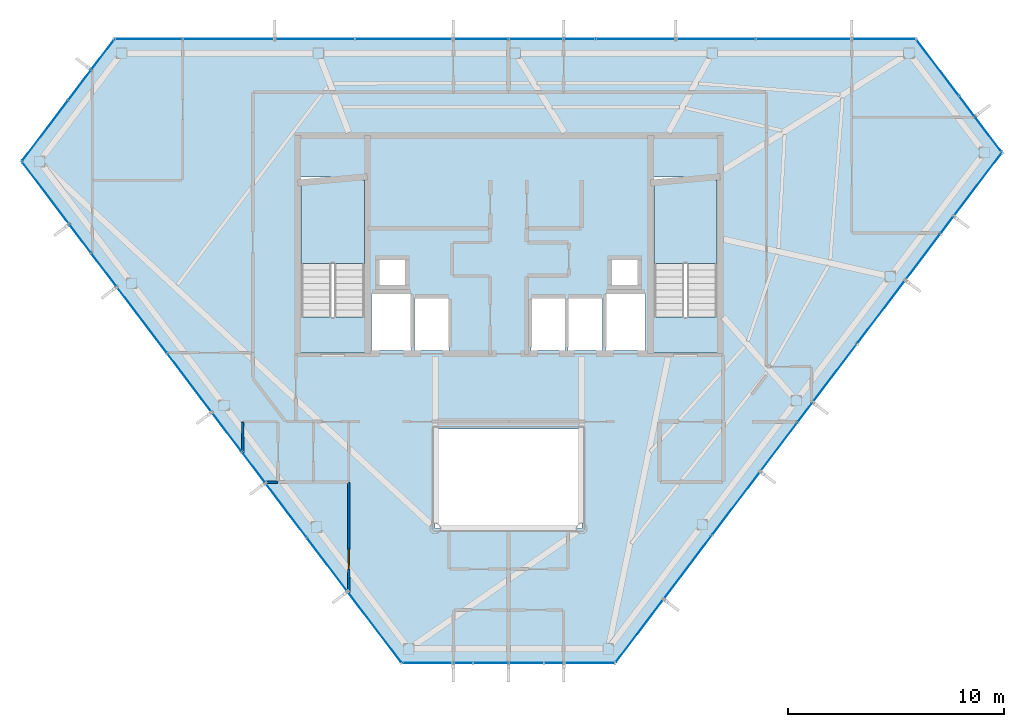
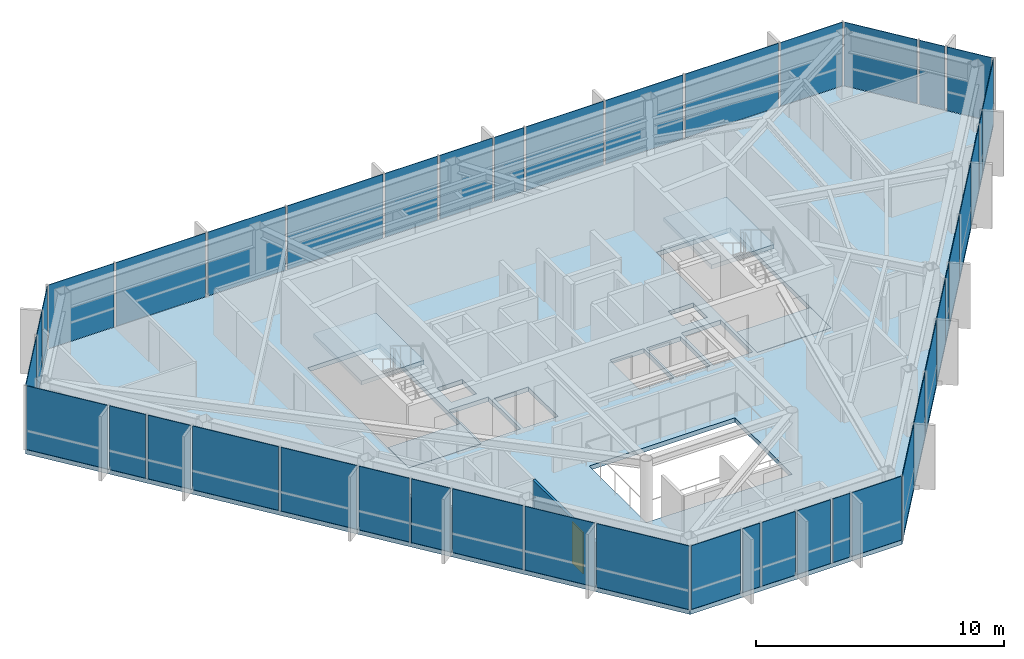
# One storey, part 20 of 25: 43 plates, 5 slabs, 3 walls, 1 door, 1 opening, 8 elements without a shape of their own.
"""IFC4 building model written with IfcOpenShell, lengths in metres."""

from ifc_helpers import new_model, si_unit, direction, frame, frame_2d, origin, origin_2d, place, context, subcontext, project, spatial, polyline, rectangle, outline, extrude, material, layer, layer_set, type_object, element, fill, aggregate, save


model = new_model("IFC4")

# Units and contexts
model_context = context("Model", 3, precision=1e-05, world=origin(), true_north=direction((0.0, 1.0)))
body_context = subcontext(model_context, "Body", "Model", "MODEL_VIEW")
ifc_project = project(units=[si_unit("LENGTHUNIT", "METRE"), si_unit("AREAUNIT", "SQUARE_METRE"), si_unit("VOLUMEUNIT", "CUBIC_METRE"), si_unit("PLANEANGLEUNIT", "RADIAN"), si_unit("MASSUNIT", "GRAM", prefix="KILO")], contexts=[model_context])

# Site, building, storey
site_placement = place(None, origin())
site = spatial("IfcSite", under=ifc_project, at=site_placement, CompositionType="ELEMENT")
building_placement = place(site_placement, origin())
building = spatial("IfcBuilding", under=site, at=building_placement, Name="Zarrinselat Tower", CompositionType="ELEMENT")
storey_placement = place(building_placement, frame((0.0, 0.0, 261.800048828125)))
storey = spatial("IfcBuildingStorey", under=building, at=storey_placement, Name="L66", CompositionType="ELEMENT", Elevation=261.800048828125)

# Curtain wall, plates
ifc_material_1 = material(Name="Extruded Aluminium Alloy EN AW-6063 T6", Category="aluminium")
ifc_layer_1 = layer(ifc_material_1, 0.169921875)
ifc_layer_set_1 = layer_set([ifc_layer_1], Name="Extruded Aluminium Alloy EN AW-6063 T6")
curtain_wall_type_1 = type_object("IfcCurtainWallType", Name="CWS-RES", PredefinedType="NOTDEFINED", material=ifc_layer_set_1)
curtain_wall_1_placement = place(storey_placement, origin())
curtain_wall_1 = element("IfcCurtainWall", 1, at=curtain_wall_1_placement, inside=storey, type_object=curtain_wall_type_1, Name="L66 Unitised Curtain Wall CW-L66-E01", PredefinedType="NOTDEFINED")
ifc_material_2 = material(Name="Double Low-E Laminated Solar Glass", Category="glass")
ifc_layer_2 = layer(ifc_material_2, 0.028076171875)
ifc_layer_set_2 = layer_set([ifc_layer_2], Name="Double Low-E Laminated Solar Glass")
plate_type = type_object("IfcPlateType", Name="PLT-CW-GL28", PredefinedType="CURTAIN_PANEL", material=ifc_layer_set_2)
plate_1_placement = place(storey_placement, frame((55.787841796875, 47.86669921875, 0.02001953125), z_axis=(0.0, 0.0, 1.0), x_axis=(-1.0, 0.0, 0.0)))
plate_1 = element("IfcPlate", 2, at=plate_1_placement, type_object=plate_type, Name="CW-L66-E01 Vision Glass Panel 1", PredefinedType="CURTAIN_PANEL", context=body_context, shape_type="SweptSolid", body=[
    extrude(rectangle(XDim=2.87353515625, YDim=0.028076171875, at=origin_2d()), origin(), (0.0, 0.0, 1.0), 3.139892578125),
])
plate_2_placement = place(storey_placement, frame((52.07568359375, 47.86669921875, 0.02001953125), z_axis=(0.0, 0.0, 1.0), x_axis=(-1.0, 0.0, 0.0)))
plate_2 = element("IfcPlate", 3, at=plate_2_placement, type_object=plate_type, Name="CW-L66-E01 Vision Glass Panel 2", PredefinedType="CURTAIN_PANEL", context=body_context, shape_type="SweptSolid", body=[
    extrude(rectangle(XDim=4.3505859375, YDim=0.028076171875, at=origin_2d()), origin(), (0.0, 0.0, 1.0), 3.139892578125),
])
plate_3_placement = place(storey_placement, frame((47.994384765625, 47.86669921875, 0.02001953125), z_axis=(0.0, 0.0, 1.0), x_axis=(-1.0, 0.0, 0.0)))
plate_3 = element("IfcPlate", 4, at=plate_3_placement, type_object=plate_type, Name="CW-L66-E01 Vision Glass Panel 3", PredefinedType="CURTAIN_PANEL", context=body_context, shape_type="SweptSolid", body=[
    extrude(rectangle(XDim=3.612060546875, YDim=0.028076171875, at=origin_2d()), origin(), (0.0, 0.0, 1.0), 3.139892578125),
])
plate_4_placement = place(storey_placement, frame((44.281982421875, 47.86669921875, 0.02001953125), z_axis=(0.0, 0.0, 1.0), x_axis=(-1.0, 0.0, 0.0)))
plate_4 = element("IfcPlate", 5, at=plate_4_placement, type_object=plate_type, Name="CW-L66-E01 Vision Glass Panel 4", PredefinedType="CURTAIN_PANEL", context=body_context, shape_type="SweptSolid", body=[
    extrude(rectangle(XDim=3.612060546875, YDim=0.028076171875, at=origin_2d()), origin(), (0.0, 0.0, 1.0), 3.139892578125),
])
plate_5_placement = place(storey_placement, frame((41.68798828125, 47.86669921875, 0.02001953125), z_axis=(0.0, 0.0, 1.0), x_axis=(-1.0, 0.0, 0.0)))
plate_5 = element("IfcPlate", 6, at=plate_5_placement, type_object=plate_type, Name="CW-L66-E01 Vision Glass Panel 5", PredefinedType="CURTAIN_PANEL", context=body_context, shape_type="SweptSolid", body=[
    extrude(rectangle(XDim=1.376220703125, YDim=0.028076171875, at=origin_2d()), origin(), (0.0, 0.0, 1.0), 3.139892578125),
])
plate_6_placement = place(storey_placement, frame((39.675048828125, 47.86669921875, 0.02001953125), z_axis=(0.0, 0.0, 1.0), x_axis=(-1.0, 0.0, 0.0)))
plate_6 = element("IfcPlate", 7, at=plate_6_placement, type_object=plate_type, Name="CW-L66-E01 Vision Glass Panel 6", PredefinedType="CURTAIN_PANEL", context=body_context, shape_type="SweptSolid", body=[
    extrude(rectangle(XDim=2.449951171875, YDim=0.028076171875, at=origin_2d()), origin(), (0.0, 0.0, 1.0), 3.139892578125),
])
plate_7_placement = place(storey_placement, frame((37.125, 47.86669921875, 0.02001953125), z_axis=(0.0, 0.0, 1.0), x_axis=(-1.0, 0.0, 0.0)))
plate_7 = element("IfcPlate", 8, at=plate_7_placement, type_object=plate_type, Name="CW-L66-E01 Vision Glass Panel 7", PredefinedType="CURTAIN_PANEL", context=body_context, shape_type="SweptSolid", body=[
    extrude(rectangle(XDim=2.449951171875, YDim=0.028076171875, at=origin_2d()), origin(), (0.0, 0.0, 1.0), 3.139892578125),
])
plate_8_placement = place(storey_placement, frame((33.56982421875, 47.86669921875, 0.02001953125), z_axis=(0.0, 0.0, 1.0), x_axis=(-1.0, 0.0, 0.0)))
plate_8 = element("IfcPlate", 9, at=plate_8_placement, type_object=plate_type, Name="CW-L66-E01 Vision Glass Panel 8", PredefinedType="CURTAIN_PANEL", context=body_context, shape_type="SweptSolid", body=[
    extrude(rectangle(XDim=4.460205078125, YDim=0.028076171875, at=origin_2d()), origin(), (0.0, 0.0, 1.0), 3.139892578125),
])
plate_9_placement = place(storey_placement, frame((29.43359375, 47.86669921875, 0.02001953125), z_axis=(0.0, 0.0, 1.0), x_axis=(-1.0, 0.0, 0.0)))
plate_9 = element("IfcPlate", 10, at=plate_9_placement, type_object=plate_type, Name="CW-L66-E01 Vision Glass Panel 9", PredefinedType="CURTAIN_PANEL", context=body_context, shape_type="SweptSolid", body=[
    extrude(rectangle(XDim=3.612060546875, YDim=0.028076171875, at=origin_2d()), origin(), (0.0, 0.0, 1.0), 3.139892578125),
])
plate_10_placement = place(storey_placement, frame((25.440673828125, 47.86669921875, 0.02001953125), z_axis=(0.0, 0.0, 1.0), x_axis=(-1.0, 0.0, 0.0)))
plate_10 = element("IfcPlate", 11, at=plate_10_placement, type_object=plate_type, Name="CW-L66-E01 Vision Glass Panel 10", PredefinedType="CURTAIN_PANEL", context=body_context, shape_type="SweptSolid", body=[
    extrude(rectangle(XDim=4.173828125, YDim=0.028076171875, at=origin_2d()), origin(), (0.0, 0.0, 1.0), 3.139892578125),
])
plate_11_placement = place(storey_placement, frame((21.728515625, 47.86669921875, 0.02001953125), z_axis=(0.0, 0.0, 1.0), x_axis=(-1.0, 0.0, 0.0)))
plate_11 = element("IfcPlate", 12, at=plate_11_placement, type_object=plate_type, Name="CW-L66-E01 Vision Glass Panel 11", PredefinedType="CURTAIN_PANEL", context=body_context, shape_type="SweptSolid", body=[
    extrude(rectangle(XDim=3.05029296875, YDim=0.028076171875, at=origin_2d()), origin(), (0.0, 0.0, 1.0), 3.139892578125),
])
aggregate(curtain_wall_1, [plate_1, plate_2, plate_3, plate_4, plate_5, plate_6, plate_7, plate_8, plate_9, plate_10, plate_11])

curtain_wall_2_placement = place(storey_placement, origin())
curtain_wall_2 = element("IfcCurtainWall", 13, at=curtain_wall_2_placement, inside=storey, type_object=curtain_wall_type_1, Name="L66 Unitised Curtain Wall CW-L66-E02", PredefinedType="NOTDEFINED")
plate_12_placement = place(storey_placement, frame((19.613525390625, 47.154296875, 0.02001953125), z_axis=(0.0, 0.0, 1.0), x_axis=(-0.60385470922, -0.797094404793, 0.0)))
plate_12 = element("IfcPlate", 14, at=plate_12_placement, type_object=plate_type, Name="CW-L66-E02 Vision Glass Panel 1", PredefinedType="CURTAIN_PANEL", context=body_context, shape_type="SweptSolid", body=[
    extrude(rectangle(XDim=1.687744140625, YDim=0.028076171875, at=origin_2d()), origin(), (0.0, 0.0, 1.0), 3.139892578125),
])
plate_13_placement = place(storey_placement, frame((18.540283203125, 45.7373046875, 0.02001953125), z_axis=(0.0, 0.0, 1.0), x_axis=(-0.60385470922, -0.797094404793, 0.0)))
plate_13 = element("IfcPlate", 15, at=plate_13_placement, type_object=plate_type, Name="CW-L66-E02 Vision Glass Panel 2", PredefinedType="CURTAIN_PANEL", context=body_context, shape_type="SweptSolid", body=[
    extrude(rectangle(XDim=1.667236328125, YDim=0.028076171875, at=origin_2d()), origin(), (0.0, 0.0, 1.0), 3.139892578125),
])
plate_14_placement = place(storey_placement, frame((16.933349609375, 43.6162109375, 0.02001953125), z_axis=(0.0, 0.0, 1.0), x_axis=(-0.60385470922, -0.797094404793, 0.0)))
plate_14 = element("IfcPlate", 16, at=plate_14_placement, type_object=plate_type, Name="CW-L66-E02 Vision Glass Panel 3", PredefinedType="CURTAIN_PANEL", context=body_context, shape_type="SweptSolid", body=[
    extrude(rectangle(XDim=3.454833984375, YDim=0.028076171875, at=origin_2d()), origin(), (0.0, 0.0, 1.0), 3.139892578125),
])
aggregate(curtain_wall_2, [plate_12, plate_13, plate_14])

curtain_wall_3_placement = place(storey_placement, origin())
curtain_wall_3 = element("IfcCurtainWall", 17, at=curtain_wall_3_placement, inside=storey, type_object=curtain_wall_type_1, Name="L66 Unitised Curtain Wall CW-L66-E03", PredefinedType="NOTDEFINED")
plate_15_placement = place(storey_placement, frame((16.959716796875, 40.747802734375, 0.02001953125), z_axis=(0.0, 0.0, 1.0), x_axis=(0.603858282603, -0.797091697694, 0.0)))
plate_15 = element("IfcPlate", 18, at=plate_15_placement, type_object=plate_type, Name="CW-L66-E03 Vision Glass Panel 1", PredefinedType="CURTAIN_PANEL", context=body_context, shape_type="SweptSolid", body=[
    extrude(rectangle(XDim=3.542724609375, YDim=0.028076171875, at=origin_2d()), origin(), (0.0, 0.0, 1.0), 3.139892578125),
])
plate_16_placement = place(storey_placement, frame((18.566650390625, 38.626708984375, 0.02001953125), z_axis=(0.0, 0.0, 1.0), x_axis=(0.603858282603, -0.797091697694, 0.0)))
plate_16 = element("IfcPlate", 19, at=plate_16_placement, type_object=plate_type, Name="CW-L66-E03 Vision Glass Panel 2", PredefinedType="CURTAIN_PANEL", context=body_context, shape_type="SweptSolid", body=[
    extrude(rectangle(XDim=1.579345703125, YDim=0.028076171875, at=origin_2d()), origin(), (0.0, 0.0, 1.0), 3.139892578125),
])
plate_17_placement = place(storey_placement, frame((19.66650390625, 37.1748046875, 0.02001953125), z_axis=(0.0, 0.0, 1.0), x_axis=(0.603858282603, -0.797091697694, 0.0)))
plate_17 = element("IfcPlate", 20, at=plate_17_placement, type_object=plate_type, Name="CW-L66-E03 Vision Glass Panel 3", PredefinedType="CURTAIN_PANEL", context=body_context, shape_type="SweptSolid", body=[
    extrude(rectangle(XDim=1.86328125, YDim=0.028076171875, at=origin_2d()), origin(), (0.0, 0.0, 1.0), 3.139892578125),
])
plate_18_placement = place(storey_placement, frame((21.42626953125, 34.85205078125, 0.02001953125), z_axis=(0.0, 0.0, 1.0), x_axis=(0.603858282603, -0.797091697694, 0.0)))
plate_18 = element("IfcPlate", 21, at=plate_18_placement, type_object=plate_type, Name="CW-L66-E03 Vision Glass Panel 4", PredefinedType="CURTAIN_PANEL", context=body_context, shape_type="SweptSolid", body=[
    extrude(rectangle(XDim=3.764892578125, YDim=0.028076171875, at=origin_2d()), origin(), (0.0, 0.0, 1.0), 3.139892578125),
])
plate_19_placement = place(storey_placement, frame((23.6259765625, 31.948486328125, 0.02001953125), z_axis=(0.0, 0.0, 1.0), x_axis=(0.603858282603, -0.797091697694, 0.0)))
plate_19 = element("IfcPlate", 22, at=plate_19_placement, type_object=plate_type, Name="CW-L66-E03 Vision Glass Panel 5", PredefinedType="CURTAIN_PANEL", context=body_context, shape_type="SweptSolid", body=[
    extrude(rectangle(XDim=3.320556640625, YDim=0.028076171875, at=origin_2d()), origin(), (0.0, 0.0, 1.0), 3.139892578125),
])
plate_20_placement = place(storey_placement, frame((25.35546875, 29.66552734375, 0.02001953125), z_axis=(0.0, 0.0, 1.0), x_axis=(0.603858282603, -0.797091697694, 0.0)))
plate_20 = element("IfcPlate", 23, at=plate_20_placement, type_object=plate_type, Name="CW-L66-E03 Vision Glass Panel 6", PredefinedType="CURTAIN_PANEL", context=body_context, shape_type="SweptSolid", body=[
    extrude(rectangle(XDim=2.207763671875, YDim=0.028076171875, at=origin_2d()), origin(), (0.0, 0.0, 1.0), 3.139892578125),
])
plate_21_placement = place(storey_placement, frame((26.594482421875, 28.02978515625, 0.02001953125), z_axis=(0.0, 0.0, 1.0), x_axis=(0.603858282603, -0.797091697694, 0.0)))
plate_21 = element("IfcPlate", 24, at=plate_21_placement, type_object=plate_type, Name="CW-L66-E03 Vision Glass Panel 7", PredefinedType="CURTAIN_PANEL", context=body_context, shape_type="SweptSolid", body=[
    extrude(rectangle(XDim=1.696533203125, YDim=0.028076171875, at=origin_2d()), origin(), (0.0, 0.0, 1.0), 3.139892578125),
])
plate_22_placement = place(storey_placement, frame((28.097412109375, 26.0458984375, 0.02001953125), z_axis=(0.0, 0.0, 1.0), x_axis=(0.603858282603, -0.797091697694, 0.0)))
plate_22 = element("IfcPlate", 25, at=plate_22_placement, type_object=plate_type, Name="CW-L66-E03 Vision Glass Panel 8", PredefinedType="CURTAIN_PANEL", context=body_context, shape_type="SweptSolid", body=[
    extrude(rectangle(XDim=3.0810546875, YDim=0.028076171875, at=origin_2d()), origin(), (0.0, 0.0, 1.0), 3.139892578125),
])
plate_23_placement = place(storey_placement, frame((30.004150390625, 23.529296875, 0.02001953125), z_axis=(0.0, 0.0, 1.0), x_axis=(0.603858282603, -0.797091697694, 0.0)))
plate_23 = element("IfcPlate", 26, at=plate_23_placement, type_object=plate_type, Name="CW-L66-E03 Vision Glass Panel 9", PredefinedType="CURTAIN_PANEL", context=body_context, shape_type="SweptSolid", body=[
    extrude(rectangle(XDim=3.033447265625, YDim=0.028076171875, at=origin_2d()), origin(), (0.0, 0.0, 1.0), 3.139892578125),
])
plate_24_placement = place(storey_placement, frame((32.20361328125, 20.625732421875, 0.02001953125), z_axis=(0.0, 0.0, 1.0), x_axis=(0.603858282603, -0.797091697694, 0.0)))
plate_24 = element("IfcPlate", 27, at=plate_24_placement, type_object=plate_type, Name="CW-L66-E03 Vision Glass Panel 10", PredefinedType="CURTAIN_PANEL", context=body_context, shape_type="SweptSolid", body=[
    extrude(rectangle(XDim=4.0517578125, YDim=0.028076171875, at=origin_2d()), origin(), (0.0, 0.0, 1.0), 3.139892578125),
])
aggregate(curtain_wall_3, [plate_15, plate_16, plate_17, plate_18, plate_19, plate_20, plate_21, plate_22, plate_23, plate_24])

curtain_wall_4_placement = place(storey_placement, origin())
curtain_wall_4 = element("IfcCurtainWall", 28, at=curtain_wall_4_placement, inside=storey, type_object=curtain_wall_type_1, Name="L66 Unitised Curtain Wall CW-L66-E04", PredefinedType="NOTDEFINED")
plate_25_placement = place(storey_placement, frame((34.653564453125, 18.97119140625, 0.02001953125), z_axis=(0.0, 0.0, 1.0), x_axis=(1.0, 0.0, 0.0)))
plate_25 = element("IfcPlate", 29, at=plate_25_placement, type_object=plate_type, Name="CW-L66-E04 Vision Glass Panel 1", PredefinedType="CURTAIN_PANEL", context=body_context, shape_type="SweptSolid", body=[
    extrude(rectangle(XDim=2.292724609375, YDim=0.028076171875, at=origin_2d()), origin(), (0.0, 0.0, 1.0), 3.139892578125),
])
plate_26_placement = place(storey_placement, frame((36.30126953125, 18.97119140625, 0.02001953125), z_axis=(0.0, 0.0, 1.0), x_axis=(1.0, 0.0, 0.0)))
plate_26 = element("IfcPlate", 30, at=plate_26_placement, type_object=plate_type, Name="CW-L66-E04 Vision Glass Panel 2", PredefinedType="CURTAIN_PANEL", context=body_context, shape_type="SweptSolid", body=[
    extrude(rectangle(XDim=0.802490234375, YDim=0.028076171875, at=origin_2d()), origin(), (0.0, 0.0, 1.0), 3.139892578125),
])
plate_27_placement = place(storey_placement, frame((37.576171875, 18.97119140625, 0.02001953125), z_axis=(0.0, 0.0, 1.0), x_axis=(1.0, 0.0, 0.0)))
plate_27 = element("IfcPlate", 31, at=plate_27_placement, type_object=plate_type, Name="CW-L66-E04 Vision Glass Panel 3", PredefinedType="CURTAIN_PANEL", context=body_context, shape_type="SweptSolid", body=[
    extrude(rectangle(XDim=1.547607421875, YDim=0.028076171875, at=origin_2d()), origin(), (0.0, 0.0, 1.0), 3.139892578125),
])
plate_28_placement = place(storey_placement, frame((39.223876953125, 18.97119140625, 0.02001953125), z_axis=(0.0, 0.0, 1.0), x_axis=(1.0, 0.0, 0.0)))
plate_28 = element("IfcPlate", 32, at=plate_28_placement, type_object=plate_type, Name="CW-L66-E04 Vision Glass Panel 4", PredefinedType="CURTAIN_PANEL", context=body_context, shape_type="SweptSolid", body=[
    extrude(rectangle(XDim=1.547607421875, YDim=0.028076171875, at=origin_2d()), origin(), (0.0, 0.0, 1.0), 3.139892578125),
])
plate_29_placement = place(storey_placement, frame((40.498779296875, 18.97119140625, 0.02001953125), z_axis=(0.0, 0.0, 1.0), x_axis=(1.0, 0.0, 0.0)))
plate_29 = element("IfcPlate", 33, at=plate_29_placement, type_object=plate_type, Name="CW-L66-E04 Vision Glass Panel 5", PredefinedType="CURTAIN_PANEL", context=body_context, shape_type="SweptSolid", body=[
    extrude(rectangle(XDim=0.802490234375, YDim=0.028076171875, at=origin_2d()), origin(), (0.0, 0.0, 1.0), 3.139892578125),
])
plate_30_placement = place(storey_placement, frame((42.146240234375, 18.97119140625, 0.02001953125), z_axis=(0.0, 0.0, 1.0), x_axis=(1.0, 0.0, 0.0)))
plate_30 = element("IfcPlate", 34, at=plate_30_placement, type_object=plate_type, Name="CW-L66-E04 Vision Glass Panel 6", PredefinedType="CURTAIN_PANEL", context=body_context, shape_type="SweptSolid", body=[
    extrude(rectangle(XDim=2.292724609375, YDim=0.028076171875, at=origin_2d()), origin(), (0.0, 0.0, 1.0), 3.139892578125),
])
aggregate(curtain_wall_4, [plate_25, plate_26, plate_27, plate_28, plate_29, plate_30])

ifc_material_3 = material(Name="Extruded Aluminium Alloy EN AW-6063 T6", Category="aluminium")
ifc_layer_3 = layer(ifc_material_3, 0.199951171875)
ifc_layer_set_3 = layer_set([ifc_layer_3], Name="Extruded Aluminium Alloy EN AW-6063 T6")
curtain_wall_type_2 = type_object("IfcCurtainWallType", Name="CWS-BLADE", PredefinedType="NOTDEFINED", material=ifc_layer_set_3)
curtain_wall_5_placement = place(storey_placement, origin())
curtain_wall_5 = element("IfcCurtainWall", 35, at=curtain_wall_5_placement, inside=storey, type_object=curtain_wall_type_2, Name="L66 Unitised Curtain Wall CW-L66-E05", PredefinedType="NOTDEFINED")
plate_31_placement = place(storey_placement, frame((44.462158203125, 20.44873046875, 0.02001953125), z_axis=(0.0, 0.0, 1.0), x_axis=(0.603859570382, 0.7970907221, 0.0)))
plate_31 = element("IfcPlate", 36, at=plate_31_placement, type_object=plate_type, Name="CW-L66-E05 Vision Glass Panel 1", PredefinedType="CURTAIN_PANEL", context=body_context, shape_type="SweptSolid", body=[
    extrude(rectangle(XDim=3.607666015625, YDim=0.028076171875, at=origin_2d()), origin(), (0.0, 0.0, 1.0), 3.139892578125),
])
plate_32_placement = place(storey_placement, frame((46.701171875, 23.404052734375, 0.02001953125), z_axis=(0.0, 0.0, 1.0), x_axis=(0.603859570382, 0.7970907221, 0.0)))
plate_32 = element("IfcPlate", 37, at=plate_32_placement, type_object=plate_type, Name="CW-L66-E05 Vision Glass Panel 2", PredefinedType="CURTAIN_PANEL", context=body_context, shape_type="SweptSolid", body=[
    extrude(rectangle(XDim=3.607666015625, YDim=0.028076171875, at=origin_2d()), origin(), (0.0, 0.0, 1.0), 3.139892578125),
])
plate_33_placement = place(storey_placement, frame((48.93994140625, 26.359619140625, 0.02001953125), z_axis=(0.0, 0.0, 1.0), x_axis=(0.603859570382, 0.7970907221, 0.0)))
plate_33 = element("IfcPlate", 38, at=plate_33_placement, type_object=plate_type, Name="CW-L66-E05 Vision Glass Panel 3", PredefinedType="CURTAIN_PANEL", context=body_context, shape_type="SweptSolid", body=[
    extrude(rectangle(XDim=3.607666015625, YDim=0.028076171875, at=origin_2d()), origin(), (0.0, 0.0, 1.0), 3.139892578125),
])
plate_34_placement = place(storey_placement, frame((50.921875, 28.9755859375, 0.02001953125), z_axis=(0.0, 0.0, 1.0), x_axis=(0.603859570382, 0.7970907221, 0.0)))
plate_34 = element("IfcPlate", 39, at=plate_34_placement, type_object=plate_type, Name="CW-L66-E05 Vision Glass Panel 4", PredefinedType="CURTAIN_PANEL", context=body_context, shape_type="SweptSolid", body=[
    extrude(rectangle(XDim=2.756103515625, YDim=0.028076171875, at=origin_2d()), origin(), (0.0, 0.0, 1.0), 3.139892578125),
])
plate_35_placement = place(storey_placement, frame((52.1357421875, 30.577880859375, 0.02001953125), z_axis=(0.0, 0.0, 1.0), x_axis=(0.603859570382, 0.7970907221, 0.0)))
plate_35 = element("IfcPlate", 40, at=plate_35_placement, type_object=plate_type, Name="CW-L66-E05 Vision Glass Panel 5", PredefinedType="CURTAIN_PANEL", context=body_context, shape_type="SweptSolid", body=[
    extrude(rectangle(XDim=1.064208984375, YDim=0.028076171875, at=origin_2d()), origin(), (0.0, 0.0, 1.0), 3.139892578125),
])
plate_36_placement = place(storey_placement, frame((53.51220703125, 32.394775390625, 0.02001953125), z_axis=(0.0, 0.0, 1.0), x_axis=(0.603859570382, 0.7970907221, 0.0)))
plate_36 = element("IfcPlate", 41, at=plate_36_placement, type_object=plate_type, Name="CW-L66-E05 Vision Glass Panel 6", PredefinedType="CURTAIN_PANEL", context=body_context, shape_type="SweptSolid", body=[
    extrude(rectangle(XDim=3.294921875, YDim=0.028076171875, at=origin_2d()), origin(), (0.0, 0.0, 1.0), 3.139892578125),
])
plate_37_placement = place(storey_placement, frame((55.65673828125, 35.2255859375, 0.02001953125), z_axis=(0.0, 0.0, 1.0), x_axis=(0.603859570382, 0.7970907221, 0.0)))
plate_37 = element("IfcPlate", 42, at=plate_37_placement, type_object=plate_type, Name="CW-L66-E05 Vision Glass Panel 7", PredefinedType="CURTAIN_PANEL", context=body_context, shape_type="SweptSolid", body=[
    extrude(rectangle(XDim=3.607666015625, YDim=0.028076171875, at=origin_2d()), origin(), (0.0, 0.0, 1.0), 3.139892578125),
])
plate_38_placement = place(storey_placement, frame((57.589599609375, 37.777099609375, 0.02001953125), z_axis=(0.0, 0.0, 1.0), x_axis=(0.603859570382, 0.7970907221, 0.0)))
plate_38 = element("IfcPlate", 43, at=plate_38_placement, type_object=plate_type, Name="CW-L66-E05 Vision Glass Panel 8", PredefinedType="CURTAIN_PANEL", context=body_context, shape_type="SweptSolid", body=[
    extrude(rectangle(XDim=2.594482421875, YDim=0.028076171875, at=origin_2d()), origin(), (0.0, 0.0, 1.0), 3.139892578125),
])
plate_39_placement = place(storey_placement, frame((58.708984375, 39.254638671875, 0.02001953125), z_axis=(0.0, 0.0, 1.0), x_axis=(0.603859570382, 0.7970907221, 0.0)))
plate_39 = element("IfcPlate", 44, at=plate_39_placement, type_object=plate_type, Name="CW-L66-E05 Vision Glass Panel 9", PredefinedType="CURTAIN_PANEL", context=body_context, shape_type="SweptSolid", body=[
    extrude(rectangle(XDim=0.913330078125, YDim=0.028076171875, at=origin_2d()), origin(), (0.0, 0.0, 1.0), 3.139892578125),
])
plate_40_placement = place(storey_placement, frame((60.134521484375, 41.13623046875, 0.02001953125), z_axis=(0.0, 0.0, 1.0), x_axis=(0.603859570382, 0.7970907221, 0.0)))
plate_40 = element("IfcPlate", 45, at=plate_40_placement, type_object=plate_type, Name="CW-L66-E05 Vision Glass Panel 10", PredefinedType="CURTAIN_PANEL", context=body_context, shape_type="SweptSolid", body=[
    extrude(rectangle(XDim=3.607666015625, YDim=0.028076171875, at=origin_2d()), origin(), (0.0, 0.0, 1.0), 3.139892578125),
])
aggregate(curtain_wall_5, [plate_31, plate_32, plate_33, plate_34, plate_35, plate_36, plate_37, plate_38, plate_39, plate_40])

curtain_wall_6_placement = place(storey_placement, origin())
curtain_wall_6 = element("IfcCurtainWall", 46, at=curtain_wall_6_placement, inside=storey, type_object=curtain_wall_type_1, Name="L66 Unitised Curtain Wall CW-L66-E06", PredefinedType="NOTDEFINED")
plate_41_placement = place(storey_placement, frame((60.624755859375, 43.444580078125, 0.02001953125), z_axis=(0.0, 0.0, 1.0), x_axis=(-0.603858272322, 0.797091705482, 0.0)))
plate_41 = element("IfcPlate", 47, at=plate_41_placement, type_object=plate_type, Name="CW-L66-E06 Vision Glass Panel 1", PredefinedType="CURTAIN_PANEL", context=body_context, shape_type="SweptSolid", body=[
    extrude(rectangle(XDim=1.98388671875, YDim=0.028076171875, at=origin_2d()), origin(), (0.0, 0.0, 1.0), 3.139892578125),
])
plate_42_placement = place(storey_placement, frame((59.6298828125, 44.7578125, 0.02001953125), z_axis=(0.0, 0.0, 1.0), x_axis=(-0.603858272322, 0.797091705482, 0.0)))
plate_42 = element("IfcPlate", 48, at=plate_42_placement, type_object=plate_type, Name="CW-L66-E06 Vision Glass Panel 2", PredefinedType="CURTAIN_PANEL", context=body_context, shape_type="SweptSolid", body=[
    extrude(rectangle(XDim=1.111083984375, YDim=0.028076171875, at=origin_2d()), origin(), (0.0, 0.0, 1.0), 3.139892578125),
])
plate_43_placement = place(storey_placement, frame((58.269287109375, 46.553466796875, 0.02001953125), z_axis=(0.0, 0.0, 1.0), x_axis=(-0.603858272322, 0.797091705482, 0.0)))
plate_43 = element("IfcPlate", 49, at=plate_43_placement, type_object=plate_type, Name="CW-L66-E06 Vision Glass Panel 3", PredefinedType="CURTAIN_PANEL", context=body_context, shape_type="SweptSolid", body=[
    extrude(rectangle(XDim=3.195068359375, YDim=0.028076171875, at=origin_2d()), origin(), (0.0, 0.0, 1.0), 3.139892578125),
])
aggregate(curtain_wall_6, [plate_41, plate_42, plate_43])

# Slabs
ifc_material_4 = material(Name="Concrete C40/50", Category="concrete")
ifc_layer_4 = layer(ifc_material_4, 0.219970703125)
ifc_layer_set_4 = layer_set([ifc_layer_4], Name="Concrete C40/50")
slab_type_1 = type_object("IfcSlabType", Name="SLB-FLOOR-220-SL-RS220", PredefinedType="FLOOR", material=ifc_layer_set_4)
slab_1_placement = place(storey_placement, frame((0.0, 0.0, -0.219970703125)))
element("IfcSlab", 50, at=slab_1_placement, inside=storey, type_object=slab_type_1, Name="L66 Primary Structural Slab", PredefinedType="FLOOR", context=body_context, shape_type="SweptSolid", body=[
    extrude(outline(polyline([(57.274658203125, 47.86669921875), (20.1533203125, 47.86669921875), (15.860107421875, 42.199462890625), (33.457275390625, 18.97119140625), (43.3427734375, 18.97119140625), (61.25390625, 42.614013671875), (57.274658203125, 47.86669921875)]), holes=[polyline([(41.800048828125, 25.199951171875), (35.0, 25.199951171875), (35.0, 29.800048828125), (41.800048828125, 29.800048828125), (41.800048828125, 25.199951171875)]), polyline([(35.64990234375, 33.449951171875), (34.050048828125, 33.449951171875), (34.050048828125, 35.85009765625), (35.64990234375, 35.85009765625), (35.64990234375, 33.449951171875)]), polyline([(41.050048828125, 33.449951171875), (39.449951171875, 33.449951171875), (39.449951171875, 35.85009765625), (41.050048828125, 35.85009765625), (41.050048828125, 33.449951171875)]), polyline([(41.14990234375, 33.449951171875), (41.14990234375, 35.85009765625), (42.75, 35.85009765625), (42.75, 33.449951171875), (41.14990234375, 33.449951171875)]), polyline([(32.06005859375, 33.449951171875), (32.06005859375, 36.050048828125), (33.89990234375, 36.050048828125), (33.89990234375, 33.449951171875), (32.06005859375, 33.449951171875)]), polyline([(44.739990234375, 33.449951171875), (42.89990234375, 33.449951171875), (42.89990234375, 36.050048828125), (44.739990234375, 36.050048828125), (44.739990234375, 33.449951171875)]), polyline([(33.60009765625, 36.47998046875), (32.419921875, 36.47998046875), (32.419921875, 37.639892578125), (33.60009765625, 37.639892578125), (33.60009765625, 36.47998046875)]), polyline([(44.3798828125, 36.47998046875), (43.199951171875, 36.47998046875), (43.199951171875, 37.639892578125), (44.3798828125, 37.639892578125), (44.3798828125, 36.47998046875)]), polyline([(31.985107421875, 33.324951171875), (28.60498046875, 33.324951171875), (28.60498046875, 41.47509765625), (31.985107421875, 41.47509765625), (31.985107421875, 33.324951171875)]), polyline([(48.324951171875, 33.324951171875), (44.875, 33.324951171875), (44.875, 41.47509765625), (48.324951171875, 41.47509765625), (48.324951171875, 33.324951171875)])]), origin(), (0.0, 0.0, 1.0), 0.219970703125),
])
slab_2_placement = place(storey_placement, frame((0.0, 0.0, -0.219970703125)))
element("IfcSlab", 51, at=slab_2_placement, inside=storey, type_object=slab_type_1, Name="L66 Stair ST-1-FL1 Structural Floor Landing", PredefinedType="FLOOR", context=body_context, shape_type="SweptSolid", body=[
    extrude(outline(polyline([(31.97998046875, 33.330078125), (31.97998046875, 35.0), (28.610107421875, 35.0), (28.610107421875, 33.330078125), (31.97998046875, 33.330078125)])), origin(), (0.0, 0.0, 1.0), 0.219970703125),
])
slab_3_placement = place(storey_placement, frame((0.0, 0.0, -0.219970703125)))
element("IfcSlab", 52, at=slab_3_placement, inside=storey, type_object=slab_type_1, Name="L66 Stair ST-2-FL1 Structural Floor Landing", PredefinedType="FLOOR", context=body_context, shape_type="SweptSolid", body=[
    extrude(outline(polyline([(48.320068359375, 33.330078125), (48.320068359375, 35.0), (44.8798828125, 35.0), (44.8798828125, 33.330078125), (48.320068359375, 33.330078125)])), origin(), (0.0, 0.0, 1.0), 0.219970703125),
])

# Stair, slab
ifc_material_5 = material(Name="Concrete C40/50", Category="concrete")
stair_type = type_object("IfcStairType", Name="STR-CORE-155", PredefinedType="HALF_TURN_STAIR", material=ifc_material_5)
stair_1_placement = place(storey_placement, origin())
stair_1 = element("IfcStair", 53, at=stair_1_placement, inside=storey, type_object=stair_type, Name="L66 Core Exit Stair 1", PredefinedType="HALF_TURN_STAIR")
ifc_material_6 = material(Name="Concrete C40/50", Category="concrete")
ifc_layer_5 = layer(ifc_material_6, 0.18994140625)
ifc_layer_set_5 = layer_set([ifc_layer_5], Name="Concrete C40/50")
slab_type_2 = type_object("IfcSlabType", Name="SLB-LND-190", PredefinedType="LANDING", material=ifc_layer_set_5)
slab_4_placement = place(storey_placement, frame((0.0, 0.0, 1.5)))
slab_4 = element("IfcSlab", 54, at=slab_4_placement, type_object=slab_type_2, Name="ST-1 landing 1", PredefinedType="LANDING", context=body_context, shape_type="SweptSolid", body=[
    extrude(outline(polyline([(31.719970703125, 37.47998046875), (31.719970703125, 41.35009765625), (28.800048828125, 41.35009765625), (28.800048828125, 37.47998046875), (31.719970703125, 37.47998046875)])), origin(), (0.0, 0.0, 1.0), 0.199951171875),
])
aggregate(stair_1, [slab_4])

stair_2_placement = place(storey_placement, origin())
stair_2 = element("IfcStair", 55, at=stair_2_placement, inside=storey, type_object=stair_type, Name="L66 Core Exit Stair 2", PredefinedType="HALF_TURN_STAIR")
slab_5_placement = place(storey_placement, frame((0.0, 0.0, 1.5)))
slab_5 = element("IfcSlab", 56, at=slab_5_placement, type_object=slab_type_2, Name="ST-2 landing 1", PredefinedType="LANDING", context=body_context, shape_type="SweptSolid", body=[
    extrude(outline(polyline([(48.06005859375, 37.47998046875), (48.06005859375, 41.35009765625), (45.139892578125, 41.35009765625), (45.139892578125, 37.47998046875), (48.06005859375, 37.47998046875)])), origin(), (0.0, 0.0, 1.0), 0.199951171875),
])
aggregate(stair_2, [slab_5])

# Walls
ifc_material_7 = material(Name="Fire-Rated Gypsum Board Partition", Category="gypsum")
ifc_layer_6 = layer(ifc_material_7, 0.1201171875)
ifc_layer_set_6 = layer_set([ifc_layer_6], Name="Fire-Rated Gypsum Board Partition")
wall_type = type_object("IfcWallType", Name="WAL-PART-STD", PredefinedType="PARTITIONING", material=ifc_layer_set_6)
wall_1_placement = place(storey_placement, frame((27.12451171875, 27.35009765625, 0.0), z_axis=(0.0, 0.0, 1.0), x_axis=(1.0, 0.0, 0.0)))
element("IfcWall", 57, at=wall_1_placement, inside=storey, type_object=wall_type, Name="L66 Partition Wall 44", PredefinedType="PARTITIONING", context=body_context, shape_type="SweptSolid", body=[
    extrude(rectangle(XDim=0.58544921875, YDim=0.1201171875, at=frame_2d((0.292724609375, 0.0))), origin(), (0.0, 0.0, 1.0), 2.23486328125),
])
wall_2_placement = place(storey_placement, frame((26.10009765625, 28.69775390625, 0.0), z_axis=(0.0, 0.0, 1.0), x_axis=(0.0, 1.0, 0.0)))
element("IfcWall", 58, at=wall_2_placement, inside=storey, type_object=wall_type, Name="L66 Partition Wall 45", PredefinedType="PARTITIONING", context=body_context, shape_type="SweptSolid", body=[
    extrude(rectangle(XDim=1.43212890625, YDim=0.1201171875, at=frame_2d((0.716064453125, 0.0))), origin(), (0.0, 0.0, 1.0), 2.23486328125),
])

# Wall, opening, door
wall_3_placement = place(storey_placement, frame((30.998046875, 22.232421875, 0.0), z_axis=(0.0, 0.0, 1.0), x_axis=(0.0, 1.0, 0.0)))
wall_3 = element("IfcWall", 59, at=wall_3_placement, inside=storey, type_object=wall_type, Name="L66 Partition Wall 51", PredefinedType="PARTITIONING", context=body_context, shape_type="SweptSolid", body=[
    extrude(rectangle(XDim=5.09765625, YDim=0.1201171875, at=frame_2d((2.548828125, 0.0))), origin(), (0.0, 0.0, 1.0), 2.23486328125),
])
opening_placement = place(wall_3_placement, frame((1.098876953125, 0.0, 0.0)))
opening = element("IfcOpeningElement", 60, at=opening_placement, cuts=wall_3, Name="Opening ID-05", PredefinedType="OPENING", context=body_context, shape_type="SweptSolid", body=[
    extrude(rectangle(XDim=0.89990234375, YDim=2.050048828125, at=frame_2d((0.449951171875, 1.02490234375))), frame((0.0, 0.070068359375, 0.0), z_axis=(0.0, -1.0, 0.0), x_axis=(1.0, 0.0, 0.0)), (0.0, 0.0, 1.0), 0.14013671875),
])
ifc_material_8 = material(Name="Extruded Aluminium Alloy EN AW-6063 T6", Category="aluminium")
door_type = type_object("IfcDoorType", Name="DR-INT-STD-920", OperationType="NOTDEFINED", PredefinedType="DOOR", material=ifc_material_8)
door_placement = place(opening_placement, origin())
door = element("IfcDoor", 61, at=door_placement, inside=storey, type_object=door_type, Name="L66 Interior Door P51", OperationType="SINGLE_SWING_RIGHT", OverallHeight=2.050048828125, OverallWidth=0.89990234375, PredefinedType="DOOR", context=body_context, shape_type="SweptSolid", body=[
    extrude(rectangle(XDim=0.89990234375, YDim=2.050048828125, at=frame_2d((0.449951171875, 1.02490234375))), frame((0.0, 0.02490234375, 0.0), z_axis=(0.0, -1.0, 0.0), x_axis=(1.0, 0.0, 0.0)), (0.0, 0.0, 1.0), 0.050048828125),
])
fill(opening, door)

save(model, "model.ifc")
